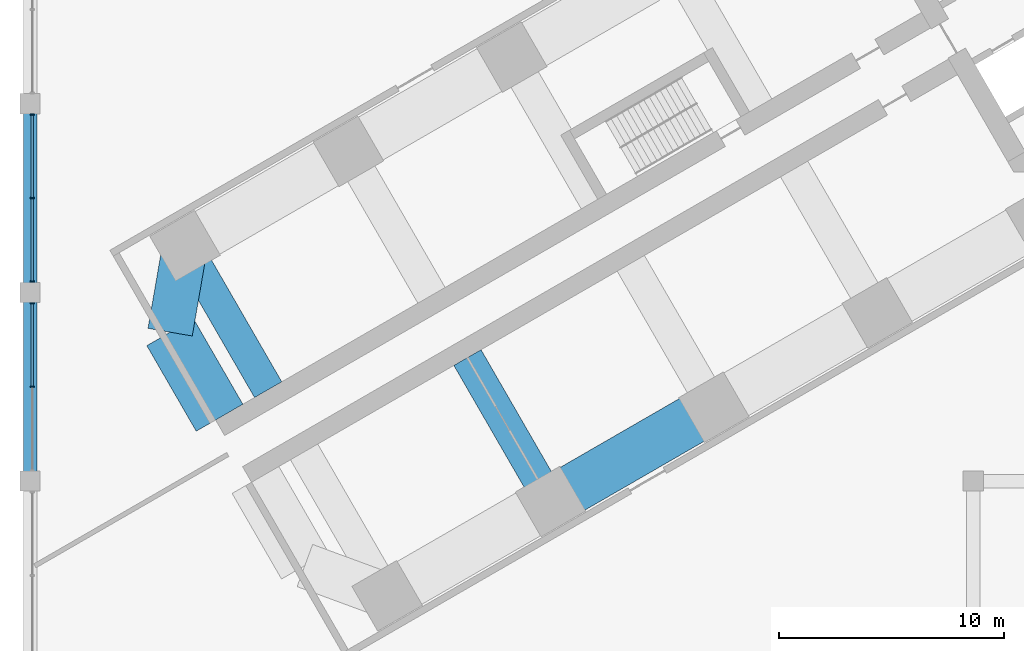
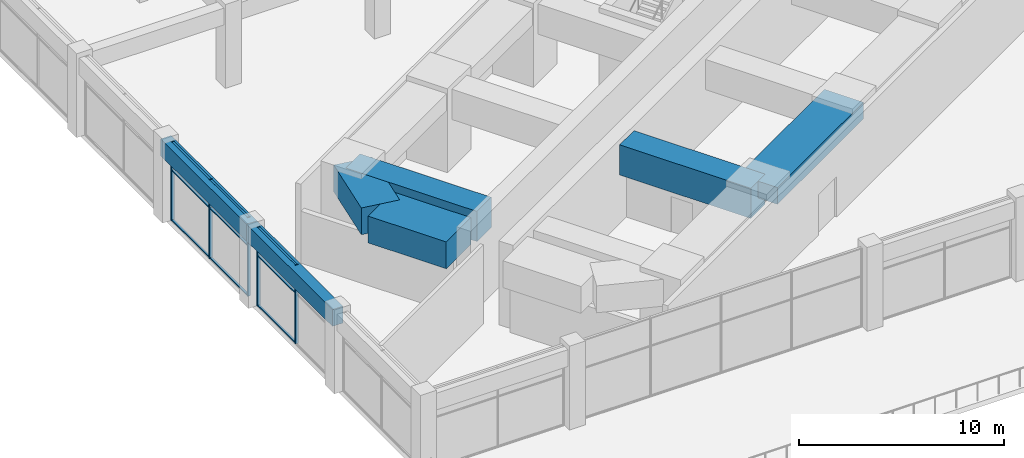
# One storey, part 3 of 36: 14 members, 7 beams, 2 elements without a shape of their own.
"""IFC4 building model written with IfcOpenShell, lengths in metres."""

from ifc_helpers import new_model, si_unit, direction, frame, origin, origin_2d, place, context, subcontext, project, spatial, rectangle, extrude, material, material_profile, profile_set, type_object, element, aggregate, save


model = new_model("IFC4")

# Units and contexts
model_context = context("Model", 3, precision=1e-05, world=origin(), true_north=direction((0.0, 1.0)))
body_context = subcontext(model_context, "Body", "Model", "MODEL_VIEW")
ifc_project = project(units=[si_unit("LENGTHUNIT", "METRE"), si_unit("AREAUNIT", "SQUARE_METRE"), si_unit("VOLUMEUNIT", "CUBIC_METRE"), si_unit("PLANEANGLEUNIT", "RADIAN"), si_unit("MASSUNIT", "GRAM", prefix="KILO")], contexts=[model_context])

# Site, building, storey
site_placement = place(None, origin())
site = spatial("IfcSite", under=ifc_project, at=site_placement, CompositionType="ELEMENT")
building_placement = place(site_placement, origin())
building = spatial("IfcBuilding", under=site, at=building_placement, Name="Impinga Residences", CompositionType="ELEMENT")
storey_placement = place(building_placement, frame((0.0, 0.0, 6.0)))
storey = spatial("IfcBuildingStorey", under=building, at=storey_placement, Name="L01", CompositionType="ELEMENT", Elevation=6.0)

# Beams
ifc_material_1 = material(Name="Concrete C60/75", Category="concrete")
ifc_material_profile_1 = material_profile(ifc_material_1, rectangle(XDim=2.0, YDim=1.60009765625, at=origin_2d()), Name="RC 2000x1600")
ifc_profile_set_1 = profile_set([ifc_material_profile_1], Name="Concrete C60/75")
beam_type_1 = type_object("IfcBeamType", Name="CB2 2000x1600 wing end cantilever beam", PredefinedType="BEAM", material=ifc_profile_set_1)
beam_1_placement = place(storey_placement, frame((-43.49853515625, -14.721435546875, 3.89990234375), z_axis=(-0.170296298948, -0.985392901621, 0.0), x_axis=(0.985392901621, -0.170296298948, 0.0)))
element("IfcBeam", 1, at=beam_1_placement, inside=storey, type_object=beam_type_1, Name="Beam CB2 WE W5-WX level L02", PredefinedType="BEAM", context=body_context, shape_type="SweptSolid", body=[
    extrude(rectangle(XDim=2.0, YDim=1.60009765625, at=origin_2d()), origin(), (0.0, 0.0, 1.0), 3.9052734375),
])
ifc_material_profile_2 = material_profile(ifc_material_1, rectangle(XDim=1.39990234375, YDim=1.800048828125, at=origin_2d()), Name="RC 1400x1800")
ifc_profile_set_2 = profile_set([ifc_material_profile_2], Name="Concrete C60/75")
beam_type_2 = type_object("IfcBeamType", Name="CG4 1400x1800 cross girder on a wing bay line under the podium floors", PredefinedType="BEAM", material=ifc_profile_set_2)
for number, where, z_axis, x_axis, name in (
    (2, (-30.923828125, -19.701416015625, 3.800048828125), (0.499988999718, -0.866031754707, 0.0), (0.866031754707, 0.499988999718, 0.0), "Beam CG4 W4 WC/WA level L02"),
    (3, (-39.79833984375, -21.130126953125, 3.800048828125), (-0.500013743233, 0.86601746898, 0.0), (-0.86601746898, -0.500013743233, 0.0), "Beam CG4 W5 WC/WF level L02"),
):
    element("IfcBeam", number, at=place(storey_placement, frame(where, z_axis=z_axis, x_axis=x_axis)), inside=storey, type_object=beam_type_2, Name=name, PredefinedType="BEAM", context=body_context, shape_type="SweptSolid", body=[
        extrude(rectangle(XDim=1.39990234375, YDim=1.800048828125, at=origin_2d()), origin(), (0.0, 0.0, 1.0), 7.400146484375),
    ])

# Curtain wall, members
ifc_material_2 = material(Name="Aluminium stick curtain wall", Category="aluminium")
curtain_wall_type = type_object("IfcCurtainWallType", Name="CW1 podium amenity curtain wall", PredefinedType="USERDEFINED", material=ifc_material_2)
curtain_wall_1_placement = place(storey_placement, origin())
curtain_wall_1 = element("IfcCurtainWall", 4, at=curtain_wall_1_placement, inside=storey, type_object=curtain_wall_type, Name="Curtain wall CW1 L01", ObjectType="STICK CURTAIN WALL", PredefinedType="USERDEFINED")
ifc_material_3 = material(Name="Aluminium mullion", Category="aluminium")
ifc_material_profile_3 = material_profile(ifc_material_3, rectangle(XDim=0.06005859375, YDim=0.179931640625, at=origin_2d()), Name="60x180 mullion")
ifc_profile_set_3 = profile_set([ifc_material_profile_3], Name="Aluminium mullion")
member_type_1 = type_object("IfcMemberType", Name="CW1-M mullion 60x180", PredefinedType="MULLION", material=ifc_profile_set_3)
member_1_placement = place(storey_placement, frame((-50.300048828125, -21.0, 0.0), z_axis=(0.0, 0.0, 1.0), x_axis=(0.0, 1.0, 0.0)))
member_1 = element("IfcMember", 5, at=member_1_placement, type_object=member_type_1, Name="CW1 mullion 2", PredefinedType="MULLION", context=body_context, shape_type="SweptSolid", body=[
    extrude(rectangle(XDim=0.06005859375, YDim=0.179931640625, at=origin_2d()), origin(), (0.0, 0.0, 1.0), 4.699951171875),
])
member_2_placement = place(storey_placement, frame((-50.300048828125, -17.282958984375, 0.0), z_axis=(0.0, 0.0, 1.0), x_axis=(0.0, 1.0, 0.0)))
member_2 = element("IfcMember", 6, at=member_2_placement, type_object=member_type_1, Name="CW1 mullion 3", PredefinedType="MULLION", context=body_context, shape_type="SweptSolid", body=[
    extrude(rectangle(XDim=0.06005859375, YDim=0.179931640625, at=origin_2d()), origin(), (0.0, 0.0, 1.0), 4.699951171875),
])

curtain_wall_2_placement = place(storey_placement, origin())
curtain_wall_2 = element("IfcCurtainWall", 7, at=curtain_wall_2_placement, inside=storey, type_object=curtain_wall_type, Name="Curtain wall CW1 L01", ObjectType="STICK CURTAIN WALL", PredefinedType="USERDEFINED")
member_3_placement = place(storey_placement, frame((-50.300048828125, -16.31689453125, 0.0), z_axis=(0.0, 0.0, 1.0), x_axis=(0.0, 1.0, 0.0)))
member_3 = element("IfcMember", 8, at=member_3_placement, type_object=member_type_1, Name="CW1 mullion 1", PredefinedType="MULLION", context=body_context, shape_type="SweptSolid", body=[
    extrude(rectangle(XDim=0.06005859375, YDim=0.179931640625, at=origin_2d()), origin(), (0.0, 0.0, 1.0), 4.699951171875),
])
member_4_placement = place(storey_placement, frame((-50.300048828125, -12.60009765625, 0.0), z_axis=(0.0, 0.0, 1.0), x_axis=(0.0, 1.0, 0.0)))
member_4 = element("IfcMember", 9, at=member_4_placement, type_object=member_type_1, Name="CW1 mullion 2", PredefinedType="MULLION", context=body_context, shape_type="SweptSolid", body=[
    extrude(rectangle(XDim=0.06005859375, YDim=0.179931640625, at=origin_2d()), origin(), (0.0, 0.0, 1.0), 4.699951171875),
])
member_5_placement = place(storey_placement, frame((-50.300048828125, -8.883056640625, 0.0), z_axis=(0.0, 0.0, 1.0), x_axis=(0.0, 1.0, 0.0)))
member_5 = element("IfcMember", 10, at=member_5_placement, type_object=member_type_1, Name="CW1 mullion 3", PredefinedType="MULLION", context=body_context, shape_type="SweptSolid", body=[
    extrude(rectangle(XDim=0.06005859375, YDim=0.179931640625, at=origin_2d()), origin(), (0.0, 0.0, 1.0), 4.699951171875),
])

# Member
ifc_material_4 = material(Name="Aluminium transom", Category="aluminium")
ifc_material_profile_4 = material_profile(ifc_material_4, rectangle(XDim=0.06005859375, YDim=0.1201171875, at=origin_2d()), Name="60x120 transom")
ifc_profile_set_4 = profile_set([ifc_material_profile_4], Name="Aluminium transom")
member_type_2 = type_object("IfcMemberType", Name="CW1-T transom 60x120", PredefinedType="USERDEFINED", material=ifc_profile_set_4)
member_6_placement = place(storey_placement, frame((-50.300048828125, -20.969970703125, 0.030029296875), z_axis=(0.0, 1.0, 0.0), x_axis=(0.0, 0.0, 1.0)))
member_6 = element("IfcMember", 11, at=member_6_placement, type_object=member_type_2, Name="CW1 transom 2.1", ObjectType="TRANSOM", PredefinedType="USERDEFINED", context=body_context, shape_type="SweptSolid", body=[
    extrude(rectangle(XDim=0.06005859375, YDim=0.1201171875, at=origin_2d()), origin(), (0.0, 0.0, 1.0), 3.656982421875),
])

member_7_placement = place(storey_placement, frame((-50.300048828125, -20.969970703125, 3.0), z_axis=(0.0, 1.0, 0.0), x_axis=(0.0, 0.0, 1.0)))
member_7 = element("IfcMember", 12, at=member_7_placement, type_object=member_type_2, Name="CW1 transom 2.2", ObjectType="TRANSOM", PredefinedType="USERDEFINED", context=body_context, shape_type="SweptSolid", body=[
    extrude(rectangle(XDim=0.06005859375, YDim=0.1201171875, at=origin_2d()), origin(), (0.0, 0.0, 1.0), 3.656982421875),
])

member_8_placement = place(storey_placement, frame((-50.300048828125, -20.969970703125, 4.669921875), z_axis=(0.0, 1.0, 0.0), x_axis=(0.0, 0.0, 1.0)))
member_8 = element("IfcMember", 13, at=member_8_placement, type_object=member_type_2, Name="CW1 transom 2.3", ObjectType="TRANSOM", PredefinedType="USERDEFINED", context=body_context, shape_type="SweptSolid", body=[
    extrude(rectangle(XDim=0.06005859375, YDim=0.1201171875, at=origin_2d()), origin(), (0.0, 0.0, 1.0), 3.656982421875),
])

aggregate(curtain_wall_1, [member_1, member_2, member_6, member_7, member_8])

member_9_placement = place(storey_placement, frame((-50.300048828125, -16.287109375, 0.030029296875), z_axis=(0.0, 1.0, 0.0), x_axis=(0.0, 0.0, 1.0)))
member_9 = element("IfcMember", 14, at=member_9_placement, type_object=member_type_2, Name="CW1 transom 1.1", ObjectType="TRANSOM", PredefinedType="USERDEFINED", context=body_context, shape_type="SweptSolid", body=[
    extrude(rectangle(XDim=0.06005859375, YDim=0.1201171875, at=origin_2d()), origin(), (0.0, 0.0, 1.0), 3.6572265625),
])

member_10_placement = place(storey_placement, frame((-50.300048828125, -16.287109375, 3.0), z_axis=(0.0, 1.0, 0.0), x_axis=(0.0, 0.0, 1.0)))
member_10 = element("IfcMember", 15, at=member_10_placement, type_object=member_type_2, Name="CW1 transom 1.2", ObjectType="TRANSOM", PredefinedType="USERDEFINED", context=body_context, shape_type="SweptSolid", body=[
    extrude(rectangle(XDim=0.06005859375, YDim=0.1201171875, at=origin_2d()), origin(), (0.0, 0.0, 1.0), 3.6572265625),
])

member_11_placement = place(storey_placement, frame((-50.300048828125, -16.287109375, 4.669921875), z_axis=(0.0, 1.0, 0.0), x_axis=(0.0, 0.0, 1.0)))
member_11 = element("IfcMember", 16, at=member_11_placement, type_object=member_type_2, Name="CW1 transom 1.3", ObjectType="TRANSOM", PredefinedType="USERDEFINED", context=body_context, shape_type="SweptSolid", body=[
    extrude(rectangle(XDim=0.06005859375, YDim=0.1201171875, at=origin_2d()), origin(), (0.0, 0.0, 1.0), 3.6572265625),
])

member_12_placement = place(storey_placement, frame((-50.300048828125, -12.570068359375, 0.030029296875), z_axis=(0.0, 1.0, 0.0), x_axis=(0.0, 0.0, 1.0)))
member_12 = element("IfcMember", 17, at=member_12_placement, type_object=member_type_2, Name="CW1 transom 2.1", ObjectType="TRANSOM", PredefinedType="USERDEFINED", context=body_context, shape_type="SweptSolid", body=[
    extrude(rectangle(XDim=0.06005859375, YDim=0.1201171875, at=origin_2d()), origin(), (0.0, 0.0, 1.0), 3.656982421875),
])

member_13_placement = place(storey_placement, frame((-50.300048828125, -12.570068359375, 3.0), z_axis=(0.0, 1.0, 0.0), x_axis=(0.0, 0.0, 1.0)))
member_13 = element("IfcMember", 18, at=member_13_placement, type_object=member_type_2, Name="CW1 transom 2.2", ObjectType="TRANSOM", PredefinedType="USERDEFINED", context=body_context, shape_type="SweptSolid", body=[
    extrude(rectangle(XDim=0.06005859375, YDim=0.1201171875, at=origin_2d()), origin(), (0.0, 0.0, 1.0), 3.656982421875),
])

member_14_placement = place(storey_placement, frame((-50.300048828125, -12.570068359375, 4.669921875), z_axis=(0.0, 1.0, 0.0), x_axis=(0.0, 0.0, 1.0)))
member_14 = element("IfcMember", 19, at=member_14_placement, type_object=member_type_2, Name="CW1 transom 2.3", ObjectType="TRANSOM", PredefinedType="USERDEFINED", context=body_context, shape_type="SweptSolid", body=[
    extrude(rectangle(XDim=0.06005859375, YDim=0.1201171875, at=origin_2d()), origin(), (0.0, 0.0, 1.0), 3.656982421875),
])

aggregate(curtain_wall_2, [member_3, member_4, member_5, member_9, member_10, member_11, member_12, member_13, member_14])

# Beams
ifc_material_profile_5 = material_profile(ifc_material_1, rectangle(XDim=2.39990234375, YDim=1.60009765625, at=origin_2d()), Name="RC 2400x1600")
ifc_profile_set_5 = profile_set([ifc_material_profile_5], Name="Concrete C60/75")
beam_type_3 = type_object("IfcBeamType", Name="EB2 2400x1600 wing end beam", PredefinedType="BEAM", material=ifc_profile_set_5)
beam_2_placement = place(storey_placement, frame((-41.963623046875, -22.380126953125, 3.89990234375), z_axis=(-0.499988222896, 0.866032203192, 0.0), x_axis=(-0.866032203192, -0.499988222896, 0.0)))
element("IfcBeam", 20, at=beam_2_placement, inside=storey, type_object=beam_type_3, Name="Beam EB2 WX4 level L02", PredefinedType="BEAM", context=body_context, shape_type="SweptSolid", body=[
    extrude(rectangle(XDim=2.39990234375, YDim=1.60009765625, at=origin_2d()), origin(), (0.0, 0.0, 1.0), 4.39990234375),
])
ifc_material_profile_6 = material_profile(ifc_material_1, rectangle(XDim=0.60009765625, YDim=1.0, at=origin_2d()), Name="RC 600x1000")
ifc_profile_set_6 = profile_set([ifc_material_profile_6], Name="Concrete C60/75")
beam_type_4 = type_object("IfcBeamType", Name="PB2 600x1000 podium beam", PredefinedType="BEAM", material=ifc_profile_set_6)
beam_3_placement = place(storey_placement, frame((-50.39990234375, -25.199951171875, 4.199951171875), z_axis=(0.0, 1.0, 0.0), x_axis=(-1.0, 0.0, 0.0)))
element("IfcBeam", 21, at=beam_3_placement, inside=storey, type_object=beam_type_4, Name="Beam PB2 1/C-D level L02", PredefinedType="BEAM", context=body_context, shape_type="SweptSolid", body=[
    extrude(rectangle(XDim=0.60009765625, YDim=1.0, at=origin_2d()), origin(), (0.0, 0.0, 1.0), 8.39990234375),
])
beam_4_placement = place(storey_placement, frame((-50.39990234375, -16.800048828125, 4.199951171875), z_axis=(0.0, 1.0, 0.0), x_axis=(-1.0, 0.0, 0.0)))
element("IfcBeam", 22, at=beam_4_placement, inside=storey, type_object=beam_type_4, Name="Beam PB2 1/D-E level L02", PredefinedType="BEAM", context=body_context, shape_type="SweptSolid", body=[
    extrude(rectangle(XDim=0.60009765625, YDim=1.0, at=origin_2d()), origin(), (0.0, 0.0, 1.0), 8.400146484375),
])
ifc_material_profile_7 = material_profile(ifc_material_1, rectangle(XDim=2.199951171875, YDim=1.0, at=origin_2d()), Name="RC 2200x1000")
ifc_profile_set_7 = profile_set([ifc_material_profile_7], Name="Concrete C60/75")
beam_type_5 = type_object("IfcBeamType", Name="PB3 2200x1000 podium band beam", PredefinedType="BEAM", material=ifc_profile_set_7)
beam_5_placement = place(storey_placement, frame((-19.94921875, -21.909912109375, 4.199951171875), z_axis=(-0.866016669275, -0.500015128309, 0.0), x_axis=(0.500015128309, -0.866016669275, 0.0)))
element("IfcBeam", 23, at=beam_5_placement, inside=storey, type_object=beam_type_5, Name="Beam PB3 WA W3-W4 level L02", PredefinedType="BEAM", context=body_context, shape_type="SweptSolid", body=[
    extrude(rectangle(XDim=2.199951171875, YDim=1.0, at=origin_2d()), origin(), (0.0, 0.0, 1.0), 8.400146484375),
])

save(model, "model.ifc")
